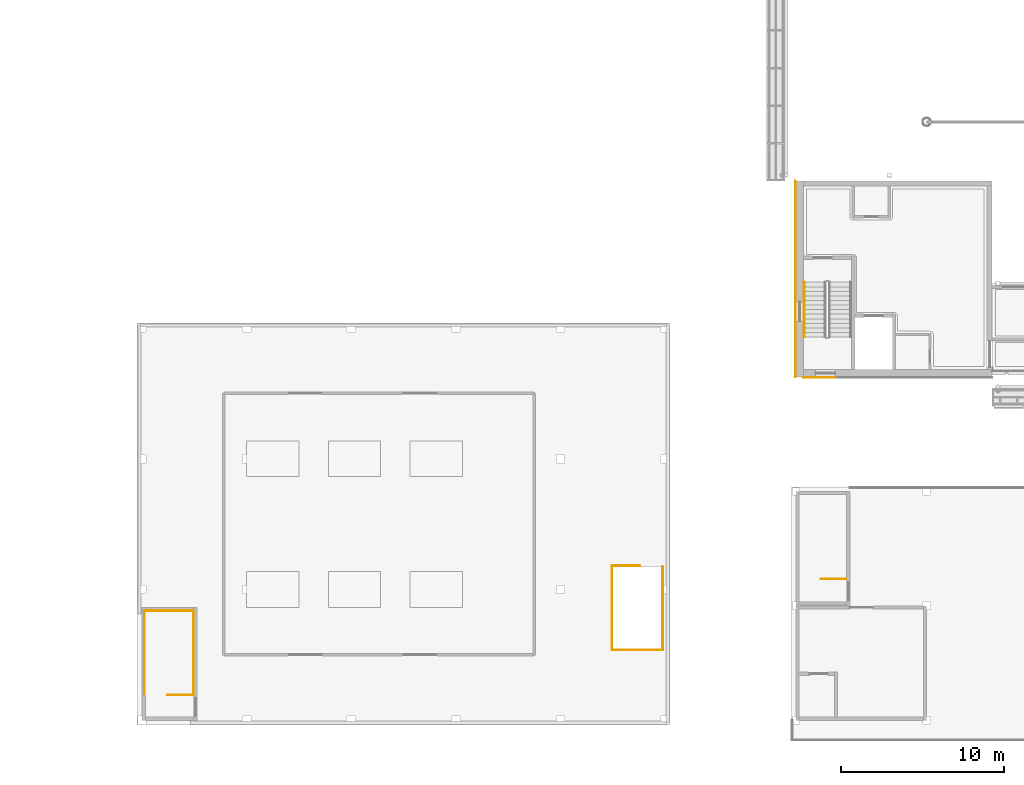
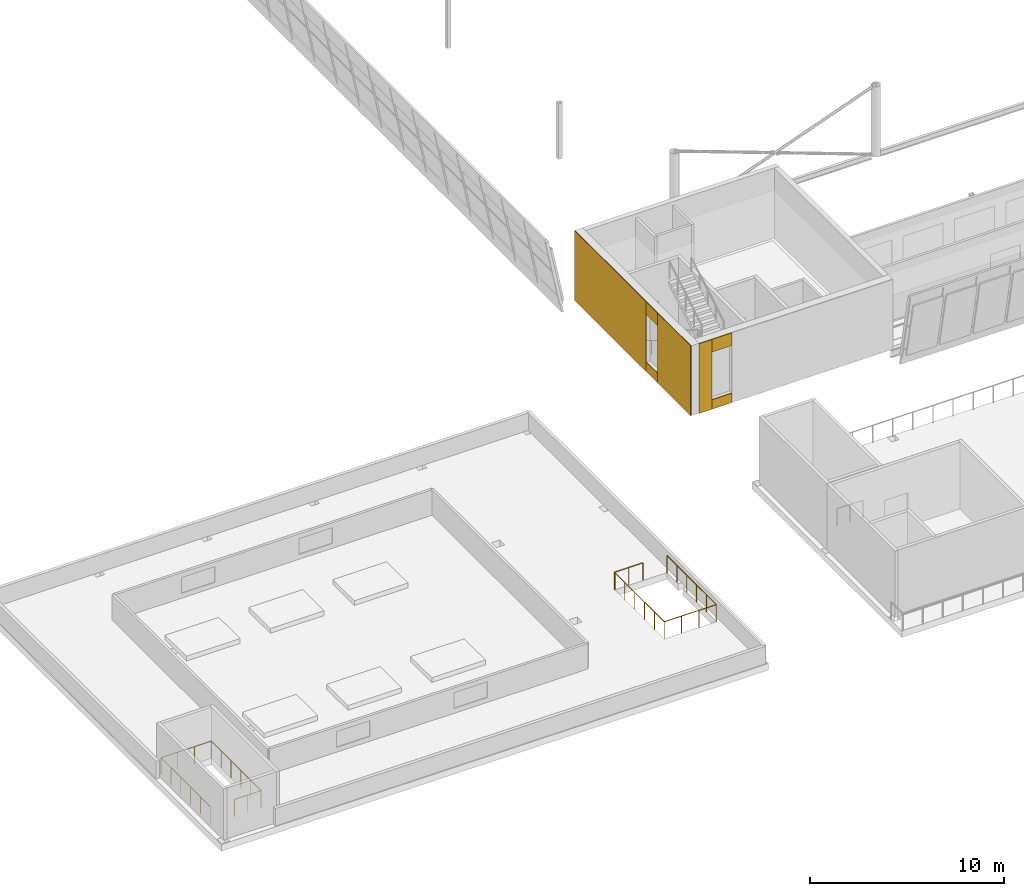
# One storey, part 79 of 95: 10 railings, 7 coverings.
"""IFC4 building model written with IfcOpenShell, lengths in metres."""

from ifc_helpers import new_model, si_unit, direction, frame, origin, origin_2d, place, context, subcontext, project, spatial, polyline, circle, outline, extrude, material, layer, layer_set, type_object, element, save


model = new_model("IFC4")

# Units and contexts
model_context = context("Model", 3, precision=1e-05, world=origin(), true_north=direction((0.0, 1.0)))
body_context = subcontext(model_context, "Body", "Model", "MODEL_VIEW")
ifc_project = project(units=[si_unit("LENGTHUNIT", "METRE"), si_unit("AREAUNIT", "SQUARE_METRE"), si_unit("VOLUMEUNIT", "CUBIC_METRE"), si_unit("PLANEANGLEUNIT", "RADIAN"), si_unit("MASSUNIT", "GRAM", prefix="KILO")], contexts=[model_context])

# Site, building, storey
site_placement = place(None, origin())
site = spatial("IfcSite", under=ifc_project, at=site_placement, CompositionType="ELEMENT")
building_placement = place(site_placement, origin())
building = spatial("IfcBuilding", under=site, at=building_placement, Name="Windward Yard Aquatics Centre", CompositionType="ELEMENT")
storey_placement = place(building_placement, frame((0.0, 0.0, 9.39990234375)))
storey = spatial("IfcBuildingStorey", under=building, at=storey_placement, Name="L02", CompositionType="ELEMENT", Elevation=9.39990234375)

# Railings
ifc_material_1 = material(Name="Stainless steel 1.4401", Category="steel")
railing_type_1 = type_object("IfcRailingType", Name="C Village stair 1 stair guard", PredefinedType="GUARDRAIL", material=ifc_material_1)
railing_1_placement = place(storey_placement, frame((55.10009765625, 13.64990234375, 0.0)))
element("IfcRailing", 1, at=railing_1_placement, inside=storey, type_object=railing_type_1, Name="L02 C-ST1 top well guard 1", PredefinedType="GUARDRAIL", context=body_context, shape_type="SweptSolid", body=[
    extrude(circle(Radius=0.02392578125, at=origin_2d()), frame((0.0, 0.0, 1.076171875), z_axis=(-1.0, 0.0, 0.0), x_axis=(0.0, -1.0, 0.0)), (0.0, 0.0, 1.0), 1.550048828125),
    extrude(circle(Radius=0.02099609375, at=origin_2d()), origin(), (0.0, 0.0, 1.0), 1.052001953125),
    extrude(circle(Radius=0.02099609375, at=origin_2d()), frame((-0.77490234375, 0.0, 0.0)), (0.0, 0.0, 1.0), 1.052001953125),
    extrude(circle(Radius=0.02099609375, at=origin_2d()), frame((-1.550048828125, 0.0, 0.0)), (0.0, 0.0, 1.0), 1.052001953125),
])
ifc_material_2 = material(Name="Stainless steel 1.4529", Category="steel")
railing_type_2 = type_object("IfcRailingType", Name="H Handrail Steel 900", PredefinedType="HANDRAIL", material=ifc_material_2)
railing_2_placement = place(storey_placement, frame((52.5, 31.800048828125, 0.16943359375)))
element("IfcRailing", 2, at=railing_2_placement, inside=storey, type_object=railing_type_2, Name="L02 ST1 stair handrail 1", PredefinedType="HANDRAIL", context=body_context, shape_type="SweptSolid", body=[
    extrude(circle(Radius=0.02392578125, at=origin_2d()), frame((0.0, 0.0, 0.8759765625), z_axis=(0.0, -0.855836976705, 0.517245656632), x_axis=(1.0, 0.0, 0.0)), (0.0, 0.0, 1.0), 3.926025390625),
    extrude(circle(Radius=0.02099609375, at=origin_2d()), origin(), (0.0, 0.0, 1.0), 0.851806640625),
    extrude(circle(Radius=0.02099609375, at=origin_2d()), frame((0.0, -0.840087890625, 0.5078125)), (0.0, 0.0, 1.0), 0.851806640625),
    extrude(circle(Radius=0.02099609375, at=origin_2d()), frame((0.0, -1.68017578125, 1.015380859375)), (0.0, 0.0, 1.0), 0.851806640625),
    extrude(circle(Radius=0.02099609375, at=origin_2d()), frame((0.0, -2.52001953125, 1.52294921875)), (0.0, 0.0, 1.0), 0.851806640625),
    extrude(circle(Radius=0.02099609375, at=origin_2d()), frame((0.0, -3.360107421875, 2.03076171875)), (0.0, 0.0, 1.0), 0.851806640625),
])

# Coverings
ifc_material_3 = material(Name="Natural limestone cladding", Category="masonry")
ifc_layer = layer(ifc_material_3, 0.0400390625)
ifc_layer_set = layer_set([ifc_layer], Name="H natural stone cladding 40")
covering_type = type_object("IfcCoveringType", Name="H natural stone cladding 40", PredefinedType="CLADDING", material=ifc_layer_set)
covering_1_placement = place(storey_placement, origin())
element("IfcCovering", 3, at=covering_1_placement, inside=storey, type_object=covering_type, Name="Stone cladding panel 119", PredefinedType="CLADDING", context=body_context, shape_type="SweptSolid", body=[
    extrude(outline(polyline([(52.449951171875, 25.9599609375), (52.449951171875, 26.0), (53.199951171875, 26.0), (53.199951171875, 25.9599609375), (52.449951171875, 25.9599609375)])), origin(), (0.0, 0.0, 1.0), 4.400146484375),
])
covering_2_placement = place(storey_placement, origin())
element("IfcCovering", 4, at=covering_2_placement, inside=storey, type_object=covering_type, Name="Stone cladding panel 120", PredefinedType="CLADDING", context=body_context, shape_type="SweptSolid", body=[
    extrude(outline(polyline([(53.199951171875, 25.9599609375), (53.199951171875, 26.0), (54.39990234375, 26.0), (54.39990234375, 25.9599609375), (53.199951171875, 25.9599609375)])), origin(), (0.0, 0.0, 1.0), 0.60009765625),
])
covering_3_placement = place(storey_placement, frame((0.0, 0.0, 3.60009765625)))
element("IfcCovering", 5, at=covering_3_placement, inside=storey, type_object=covering_type, Name="Stone cladding panel 121", PredefinedType="CLADDING", context=body_context, shape_type="SweptSolid", body=[
    extrude(outline(polyline([(53.199951171875, 25.9599609375), (53.199951171875, 26.0), (54.39990234375, 26.0), (54.39990234375, 25.9599609375), (53.199951171875, 25.9599609375)])), origin(), (0.0, 0.0, 1.0), 0.800048828125),
])
covering_4_placement = place(storey_placement, origin())
element("IfcCovering", 6, at=covering_4_placement, inside=storey, type_object=covering_type, Name="Stone cladding panel 145", PredefinedType="CLADDING", context=body_context, shape_type="SweptSolid", body=[
    extrude(outline(polyline([(51.9599609375, 26.0), (52.0, 26.0), (52.0, 29.39990234375), (51.9599609375, 29.39990234375), (51.9599609375, 26.0)])), origin(), (0.0, 0.0, 1.0), 4.400146484375),
])
covering_5_placement = place(storey_placement, origin())
element("IfcCovering", 7, at=covering_5_placement, inside=storey, type_object=covering_type, Name="Stone cladding panel 146", PredefinedType="CLADDING", context=body_context, shape_type="SweptSolid", body=[
    extrude(outline(polyline([(51.9599609375, 29.39990234375), (52.0, 29.39990234375), (52.0, 30.60009765625), (51.9599609375, 30.60009765625), (51.9599609375, 29.39990234375)])), origin(), (0.0, 0.0, 1.0), 0.60009765625),
])
covering_6_placement = place(storey_placement, frame((0.0, 0.0, 3.60009765625)))
element("IfcCovering", 8, at=covering_6_placement, inside=storey, type_object=covering_type, Name="Stone cladding panel 147", PredefinedType="CLADDING", context=body_context, shape_type="SweptSolid", body=[
    extrude(outline(polyline([(51.9599609375, 29.39990234375), (52.0, 29.39990234375), (52.0, 30.60009765625), (51.9599609375, 30.60009765625), (51.9599609375, 29.39990234375)])), origin(), (0.0, 0.0, 1.0), 0.800048828125),
])
covering_7_placement = place(storey_placement, origin())
element("IfcCovering", 9, at=covering_7_placement, inside=storey, type_object=covering_type, Name="Stone cladding panel 148", PredefinedType="CLADDING", context=body_context, shape_type="SweptSolid", body=[
    extrude(outline(polyline([(51.9599609375, 30.60009765625), (52.0, 30.60009765625), (52.0, 38.0), (51.9599609375, 38.0), (51.9599609375, 30.60009765625)])), origin(), (0.0, 0.0, 1.0), 4.400146484375),
])

# Railings
railing_type_3 = type_object("IfcRailingType", Name="P Plant stair 1 stair guard", PredefinedType="GUARDRAIL", material=ifc_material_1)
railing_3_placement = place(storey_placement, frame((15.14990234375, 6.550048828125, 0.0)))
element("IfcRailing", 10, at=railing_3_placement, inside=storey, type_object=railing_type_3, Name="L02 P-ST1 top well guard 1", PredefinedType="GUARDRAIL", context=body_context, shape_type="SweptSolid", body=[
    extrude(circle(Radius=0.02392578125, at=origin_2d()), frame((0.0, 0.0, 1.076171875), z_axis=(-1.0, 0.0, 0.0), x_axis=(0.0, -1.0, 0.0)), (0.0, 0.0, 1.0), 1.599853515625),
    extrude(circle(Radius=0.02099609375, at=origin_2d()), origin(), (0.0, 0.0, 1.0), 1.052001953125),
    extrude(circle(Radius=0.02099609375, at=origin_2d()), frame((-0.7998046875, 0.0, 0.0)), (0.0, 0.0, 1.0), 1.052001953125),
    extrude(circle(Radius=0.02099609375, at=origin_2d()), frame((-1.599853515625, 0.0, 0.0)), (0.0, 0.0, 1.0), 1.052001953125),
])
railing_type_4 = type_object("IfcRailingType", Name="P Plant stair 1 well guard", PredefinedType="GUARDRAIL", material=ifc_material_1)
railing_4_placement = place(storey_placement, frame((15.14990234375, 6.610107421875, 0.0)))
element("IfcRailing", 11, at=railing_4_placement, inside=storey, type_object=railing_type_4, Name="Plant stair 1 well guard 1", PredefinedType="GUARDRAIL", context=body_context, shape_type="SweptSolid", body=[
    extrude(circle(Radius=0.02392578125, at=origin_2d()), frame((0.0, 0.0, 1.076171875), z_axis=(0.0, 1.0, 0.0), x_axis=(-1.0, 0.0, 0.0)), (0.0, 0.0, 1.0), 5.08984375),
    extrude(circle(Radius=0.02099609375, at=origin_2d()), origin(), (0.0, 0.0, 1.0), 1.052001953125),
    extrude(circle(Radius=0.02099609375, at=origin_2d()), frame((0.0, 1.01806640625, 0.0)), (0.0, 0.0, 1.0), 1.052001953125),
    extrude(circle(Radius=0.02099609375, at=origin_2d()), frame((0.0, 2.035888671875, 0.0)), (0.0, 0.0, 1.0), 1.052001953125),
    extrude(circle(Radius=0.02099609375, at=origin_2d()), frame((0.0, 3.053955078125, 0.0)), (0.0, 0.0, 1.0), 1.052001953125),
    extrude(circle(Radius=0.02099609375, at=origin_2d()), frame((0.0, 4.07177734375, 0.0)), (0.0, 0.0, 1.0), 1.052001953125),
    extrude(circle(Radius=0.02099609375, at=origin_2d()), frame((0.0, 5.08984375, 0.0)), (0.0, 0.0, 1.0), 1.052001953125),
])
railing_5_placement = place(storey_placement, frame((15.14990234375, 11.699951171875, 0.0)))
element("IfcRailing", 12, at=railing_5_placement, inside=storey, type_object=railing_type_4, Name="Plant stair 1 well guard 2", PredefinedType="GUARDRAIL", context=body_context, shape_type="SweptSolid", body=[
    extrude(circle(Radius=0.02392578125, at=origin_2d()), frame((0.0, 0.0, 1.076171875), z_axis=(-1.0, 0.0, 0.0), x_axis=(0.0, -1.0, 0.0)), (0.0, 0.0, 1.0), 3.0),
    extrude(circle(Radius=0.02099609375, at=origin_2d()), origin(), (0.0, 0.0, 1.0), 1.052001953125),
    extrude(circle(Radius=0.02099609375, at=origin_2d()), frame((-1.0, 0.0, 0.0)), (0.0, 0.0, 1.0), 1.052001953125),
    extrude(circle(Radius=0.02099609375, at=origin_2d()), frame((-2.0, 0.0, 0.0)), (0.0, 0.0, 1.0), 1.052001953125),
    extrude(circle(Radius=0.02099609375, at=origin_2d()), frame((-3.0, 0.0, 0.0)), (0.0, 0.0, 1.0), 1.052001953125),
])
railing_6_placement = place(storey_placement, frame((12.14990234375, 11.699951171875, 0.0)))
element("IfcRailing", 13, at=railing_6_placement, inside=storey, type_object=railing_type_4, Name="Plant stair 1 well guard 3", PredefinedType="GUARDRAIL", context=body_context, shape_type="SweptSolid", body=[
    extrude(circle(Radius=0.02392578125, at=origin_2d()), frame((0.0, 0.0, 1.076171875), z_axis=(0.0, -1.0, 0.0), x_axis=(1.0, 0.0, 0.0)), (0.0, 0.0, 1.0), 5.08984375),
    extrude(circle(Radius=0.02099609375, at=origin_2d()), origin(), (0.0, 0.0, 1.0), 1.052001953125),
    extrude(circle(Radius=0.02099609375, at=origin_2d()), frame((0.0, -1.01806640625, 0.0)), (0.0, 0.0, 1.0), 1.052001953125),
    extrude(circle(Radius=0.02099609375, at=origin_2d()), frame((0.0, -2.035888671875, 0.0)), (0.0, 0.0, 1.0), 1.052001953125),
    extrude(circle(Radius=0.02099609375, at=origin_2d()), frame((0.0, -3.053955078125, 0.0)), (0.0, 0.0, 1.0), 1.052001953125),
    extrude(circle(Radius=0.02099609375, at=origin_2d()), frame((0.0, -4.07177734375, 0.0)), (0.0, 0.0, 1.0), 1.052001953125),
    extrude(circle(Radius=0.02099609375, at=origin_2d()), frame((0.0, -5.08984375, 0.0)), (0.0, 0.0, 1.0), 1.052001953125),
])
railing_type_5 = type_object("IfcRailingType", Name="P Plant stair 2 stair guard", PredefinedType="GUARDRAIL", material=ifc_material_1)
railing_7_placement = place(storey_placement, frame((40.75, 14.449951171875, 0.0)))
element("IfcRailing", 14, at=railing_7_placement, inside=storey, type_object=railing_type_5, Name="L02 P-ST2 top well guard 1", PredefinedType="GUARDRAIL", context=body_context, shape_type="SweptSolid", body=[
    extrude(circle(Radius=0.02392578125, at=origin_2d()), frame((0.0, 0.0, 1.076171875), z_axis=(1.0, 0.0, 0.0), x_axis=(0.0, 1.0, 0.0)), (0.0, 0.0, 1.0), 1.699951171875),
    extrude(circle(Radius=0.02099609375, at=origin_2d()), origin(), (0.0, 0.0, 1.0), 1.052001953125),
    extrude(circle(Radius=0.02099609375, at=origin_2d()), frame((0.85009765625, 0.0, 0.0)), (0.0, 0.0, 1.0), 1.052001953125),
    extrude(circle(Radius=0.02099609375, at=origin_2d()), frame((1.699951171875, 0.0, 0.0)), (0.0, 0.0, 1.0), 1.052001953125),
])
railing_type_6 = type_object("IfcRailingType", Name="P Plant stair 2 well guard", PredefinedType="GUARDRAIL", material=ifc_material_1)
railing_8_placement = place(storey_placement, frame((40.75, 14.389892578125, 0.0)))
element("IfcRailing", 15, at=railing_8_placement, inside=storey, type_object=railing_type_6, Name="Plant stair 2 well guard 1", PredefinedType="GUARDRAIL", context=body_context, shape_type="SweptSolid", body=[
    extrude(circle(Radius=0.02392578125, at=origin_2d()), frame((0.0, 0.0, 1.076171875), z_axis=(0.0, -1.0, 0.0), x_axis=(1.0, 0.0, 0.0)), (0.0, 0.0, 1.0), 5.08984375),
    extrude(circle(Radius=0.02099609375, at=origin_2d()), origin(), (0.0, 0.0, 1.0), 1.052001953125),
    extrude(circle(Radius=0.02099609375, at=origin_2d()), frame((0.0, -1.01806640625, 0.0)), (0.0, 0.0, 1.0), 1.052001953125),
    extrude(circle(Radius=0.02099609375, at=origin_2d()), frame((0.0, -2.035888671875, 0.0)), (0.0, 0.0, 1.0), 1.052001953125),
    extrude(circle(Radius=0.02099609375, at=origin_2d()), frame((0.0, -3.053955078125, 0.0)), (0.0, 0.0, 1.0), 1.052001953125),
    extrude(circle(Radius=0.02099609375, at=origin_2d()), frame((0.0, -4.07177734375, 0.0)), (0.0, 0.0, 1.0), 1.052001953125),
    extrude(circle(Radius=0.02099609375, at=origin_2d()), frame((0.0, -5.08984375, 0.0)), (0.0, 0.0, 1.0), 1.052001953125),
])
railing_9_placement = place(storey_placement, frame((40.75, 9.300048828125, 0.0)))
element("IfcRailing", 16, at=railing_9_placement, inside=storey, type_object=railing_type_6, Name="Plant stair 2 well guard 2", PredefinedType="GUARDRAIL", context=body_context, shape_type="SweptSolid", body=[
    extrude(circle(Radius=0.02392578125, at=origin_2d()), frame((0.0, 0.0, 1.076171875), z_axis=(1.0, 0.0, 0.0), x_axis=(0.0, 1.0, 0.0)), (0.0, 0.0, 1.0), 3.10009765625),
    extrude(circle(Radius=0.02099609375, at=origin_2d()), origin(), (0.0, 0.0, 1.0), 1.052001953125),
    extrude(circle(Radius=0.02099609375, at=origin_2d()), frame((1.033447265625, 0.0, 0.0)), (0.0, 0.0, 1.0), 1.052001953125),
    extrude(circle(Radius=0.02099609375, at=origin_2d()), frame((2.066650390625, 0.0, 0.0)), (0.0, 0.0, 1.0), 1.052001953125),
    extrude(circle(Radius=0.02099609375, at=origin_2d()), frame((3.10009765625, 0.0, 0.0)), (0.0, 0.0, 1.0), 1.052001953125),
])
railing_10_placement = place(storey_placement, frame((43.85009765625, 9.300048828125, 0.0)))
element("IfcRailing", 17, at=railing_10_placement, inside=storey, type_object=railing_type_6, Name="Plant stair 2 well guard 3", PredefinedType="GUARDRAIL", context=body_context, shape_type="SweptSolid", body=[
    extrude(circle(Radius=0.02392578125, at=origin_2d()), frame((0.0, 0.0, 1.076171875), z_axis=(0.0, 1.0, 0.0), x_axis=(-1.0, 0.0, 0.0)), (0.0, 0.0, 1.0), 5.08984375),
    extrude(circle(Radius=0.02099609375, at=origin_2d()), origin(), (0.0, 0.0, 1.0), 1.052001953125),
    extrude(circle(Radius=0.02099609375, at=origin_2d()), frame((0.0, 1.01806640625, 0.0)), (0.0, 0.0, 1.0), 1.052001953125),
    extrude(circle(Radius=0.02099609375, at=origin_2d()), frame((0.0, 2.035888671875, 0.0)), (0.0, 0.0, 1.0), 1.052001953125),
    extrude(circle(Radius=0.02099609375, at=origin_2d()), frame((0.0, 3.053955078125, 0.0)), (0.0, 0.0, 1.0), 1.052001953125),
    extrude(circle(Radius=0.02099609375, at=origin_2d()), frame((0.0, 4.07177734375, 0.0)), (0.0, 0.0, 1.0), 1.052001953125),
    extrude(circle(Radius=0.02099609375, at=origin_2d()), frame((0.0, 5.08984375, 0.0)), (0.0, 0.0, 1.0), 1.052001953125),
])

save(model, "model.ifc")
